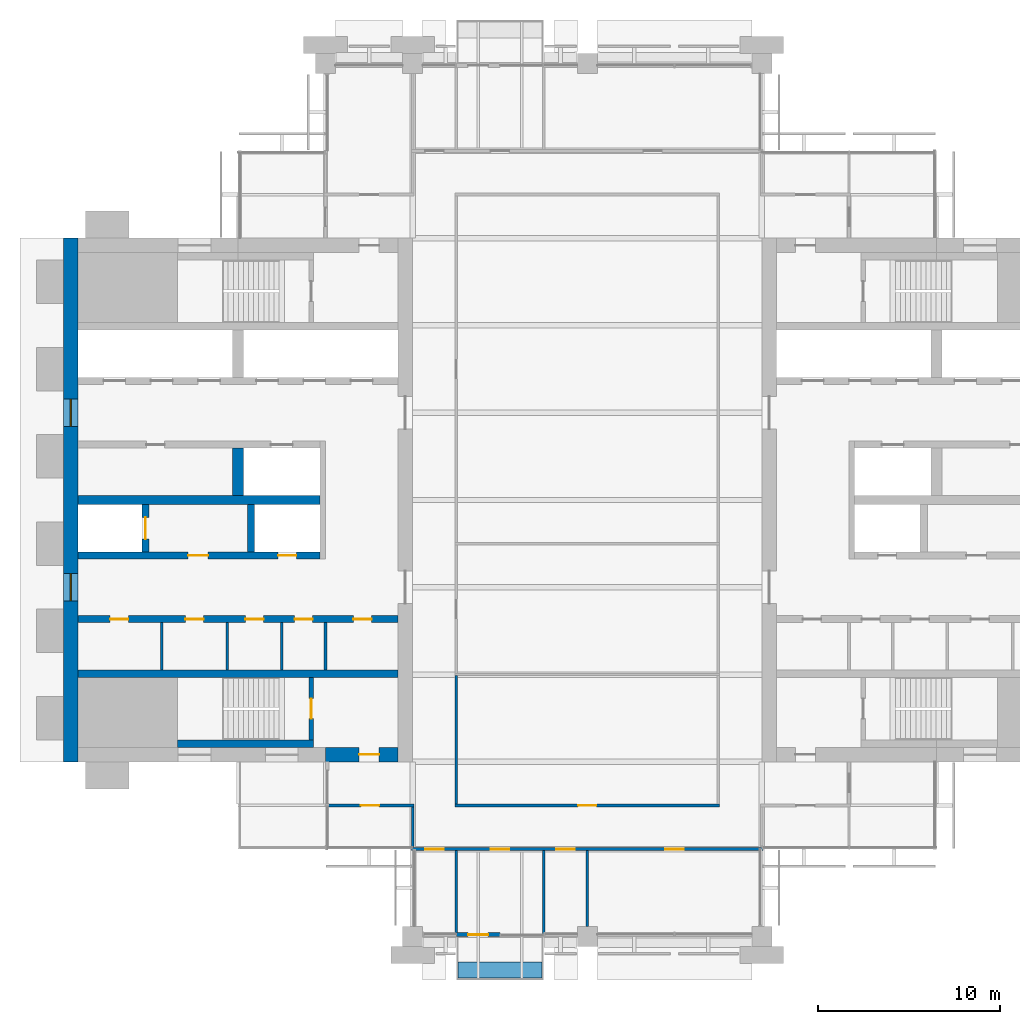
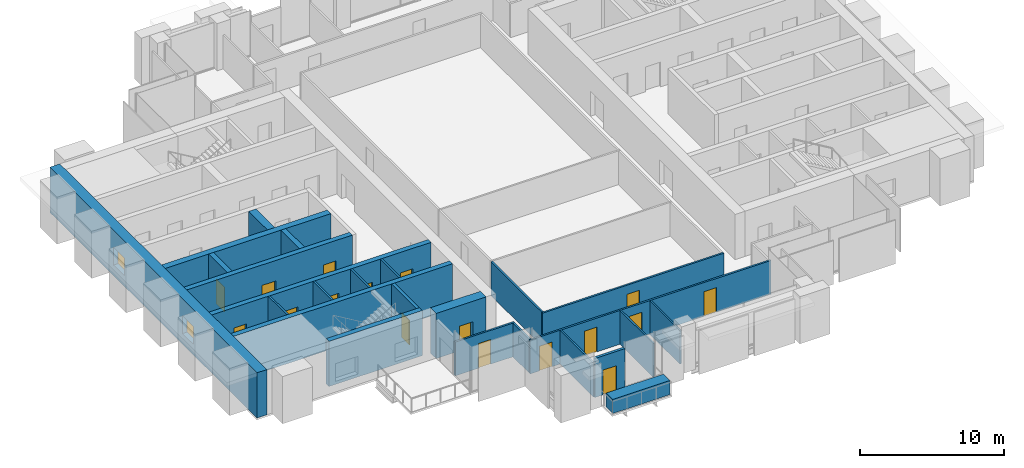
# One storey, part 8 of 14: 25 walls, 17 doors, 2 windows, 19 openings.
"""IFC4 building model written with IfcOpenShell, lengths in metres."""

from ifc_helpers import new_model, si_unit, direction, frame, frame_2d, origin, place, context, subcontext, project, spatial, rectangle, extrude, material, layer, layer_set, type_object, element, fill, save


model = new_model("IFC4")

# Units and contexts
model_context = context("Model", 3, precision=1e-05, world=origin(), true_north=direction((0.0, 1.0)))
body_context = subcontext(model_context, "Body", "Model", "MODEL_VIEW")
ifc_project = project(units=[si_unit("LENGTHUNIT", "METRE"), si_unit("AREAUNIT", "SQUARE_METRE"), si_unit("VOLUMEUNIT", "CUBIC_METRE"), si_unit("PLANEANGLEUNIT", "RADIAN"), si_unit("MASSUNIT", "GRAM", prefix="KILO")], contexts=[model_context])

# Site, building, storey
site_placement = place(None, origin())
site = spatial("IfcSite", under=ifc_project, at=site_placement, CompositionType="ELEMENT")
building_placement = place(site_placement, origin())
building = spatial("IfcBuilding", under=site, at=building_placement, Name="Baori Bourse Tower", CompositionType="ELEMENT")
storey_placement = place(building_placement, frame((0.0, 0.0, 209.199951171875)))
storey = spatial("IfcBuildingStorey", under=building, at=storey_placement, Name="L45", CompositionType="ELEMENT", Elevation=209.199951171875)

# Walls
ifc_material_1 = material(Name="Blockwork partition", Category="masonry")
ifc_layer_1 = layer(ifc_material_1, 0.14990234375)
ifc_layer_set_1 = layer_set([ifc_layer_1], Name="Core partition 150")
wall_type_1 = type_object("IfcWallType", Name="Core partition 150", PredefinedType="PARTITIONING", material=ifc_layer_set_1)
for number, where, z_axis, x_axis, name in (
    (1, (5.39990234375, 14.64990234375, 0.0), (0.0, 0.0, 1.0), (0.0, 1.0, 0.0), "Partition wall W09"),
    (2, (9.0, 14.64990234375, 0.0), (0.0, 0.0, 1.0), (0.0, 1.0, 0.0), "Partition wall W10"),
    (3, (12.0, 14.64990234375, 0.0), (0.0, 0.0, 1.0), (0.0, 1.0, 0.0), "Partition wall W11"),
    (4, (14.39990234375, 14.64990234375, 0.0), (0.0, 0.0, 1.0), (0.0, 1.0, 0.0), "Partition wall W12"),
):
    element("IfcWall", number, at=place(storey_placement, frame(where, z_axis=z_axis, x_axis=x_axis)), inside=storey, type_object=wall_type_1, Name=name, PredefinedType="PARTITIONING", context=body_context, shape_type="SweptSolid", body=[
        extrude(rectangle(XDim=2.60009765625, YDim=0.14990234375, at=frame_2d((1.300048828125, 0.0))), origin(), (0.0, 0.0, 1.0), 3.840087890625),
    ])

# Wall, openings, windows
ifc_material_2 = material(Name="Concrete f'c 50 MPa", Category="concrete")
ifc_layer_2 = layer(ifc_material_2, 0.800048828125)
ifc_layer_set_2 = layer_set([ifc_layer_2], Name="Core wall 800 f'c 50")
wall_type_2 = type_object("IfcWallType", Name="Core wall 800 f'c 50", PredefinedType="SHEAR", material=ifc_layer_set_2)
wall_1_placement = place(storey_placement, frame((0.39990234375, 9.60009765625, 0.0), z_axis=(0.0, 0.0, 1.0), x_axis=(0.0, 1.0, 0.0)))
wall_1 = element("IfcWall", 5, at=wall_1_placement, inside=storey, type_object=wall_type_2, Name="Core wall W01", PredefinedType="SHEAR", context=body_context, shape_type="SweptSolid", body=[
    extrude(rectangle(XDim=28.7998046875, YDim=0.800048828125, at=frame_2d((14.39990234375, 0.0))), origin(), (0.0, 0.0, 1.0), 3.840087890625),
])
opening_1_placement = place(wall_1_placement, frame((8.85009765625, 0.0, 0.89990234375)))
opening_1 = element("IfcOpeningElement", 6, at=opening_1_placement, cuts=wall_1, Name="Opening L45-KW101", PredefinedType="OPENING", context=body_context, shape_type="SweptSolid", body=[
    extrude(rectangle(XDim=1.5, YDim=1.5, at=frame_2d((0.75, 0.75))), frame((0.0, 0.409912109375, 0.0), z_axis=(0.0, -1.0, 0.0), x_axis=(1.0, 0.0, 0.0)), (0.0, 0.0, 1.0), 0.820068359375),
])
opening_2_placement = place(wall_1_placement, frame((18.449951171875, 0.0, 0.89990234375)))
opening_2 = element("IfcOpeningElement", 7, at=opening_2_placement, cuts=wall_1, Name="Opening L45-KW102", PredefinedType="OPENING", context=body_context, shape_type="SweptSolid", body=[
    extrude(rectangle(XDim=1.5, YDim=1.5, at=frame_2d((0.75, 0.75))), frame((0.0, 0.409912109375, 0.0), z_axis=(0.0, -1.0, 0.0), x_axis=(1.0, 0.0, 0.0)), (0.0, 0.0, 1.0), 0.820068359375),
])
ifc_material_3 = material(Name="Pale anodised aluminium", Category="aluminium")
window_type = type_object("IfcWindowType", Name="Lobby window 1500 x 1500", PartitioningType="SINGLE_PANEL", PredefinedType="WINDOW", material=ifc_material_3)
window_1_placement = place(opening_1_placement, origin())
window_1 = element("IfcWindow", 8, at=window_1_placement, inside=storey, type_object=window_type, Name="Outer wall window W L45 1", OverallHeight=1.5, OverallWidth=1.5, PartitioningType="SINGLE_PANEL", PredefinedType="WINDOW", context=body_context, shape_type="SweptSolid", body=[
    extrude(rectangle(XDim=1.5, YDim=1.5, at=frame_2d((0.75, 0.75))), frame((0.0, 0.030029296875, 0.0), z_axis=(0.0, -1.0, 0.0), x_axis=(1.0, 0.0, 0.0)), (0.0, 0.0, 1.0), 0.06005859375),
])
fill(opening_1, window_1)
window_2_placement = place(opening_2_placement, origin())
window_2 = element("IfcWindow", 9, at=window_2_placement, inside=storey, type_object=window_type, Name="Outer wall window W L45 2", OverallHeight=1.5, OverallWidth=1.5, PartitioningType="SINGLE_PANEL", PredefinedType="WINDOW", context=body_context, shape_type="SweptSolid", body=[
    extrude(rectangle(XDim=1.5, YDim=1.5, at=frame_2d((0.75, 0.75))), frame((0.0, 0.030029296875, 0.0), z_axis=(0.0, -1.0, 0.0), x_axis=(1.0, 0.0, 0.0)), (0.0, 0.0, 1.0), 0.06005859375),
])
fill(opening_2, window_2)

# Wall, opening, door
wall_2_placement = place(storey_placement, frame((18.39990234375, 10.0, 0.0), z_axis=(0.0, 0.0, 1.0), x_axis=(-1.0, 0.0, 0.0)))
wall_2 = element("IfcWall", 10, at=wall_2_placement, inside=storey, type_object=wall_type_2, Name="Core wall W03", PredefinedType="SHEAR", context=body_context, shape_type="SweptSolid", body=[
    extrude(rectangle(XDim=4.0, YDim=0.800048828125, at=frame_2d((2.0, 0.0))), origin(), (0.0, 0.0, 1.0), 3.840087890625),
])
opening_3_placement = place(wall_2_placement, frame((1.050048828125, 0.0, 0.0)))
opening_3 = element("IfcOpeningElement", 11, at=opening_3_placement, cuts=wall_2, Name="Opening L45-D102", PredefinedType="OPENING", context=body_context, shape_type="SweptSolid", body=[
    extrude(rectangle(XDim=1.10009765625, YDim=2.10009765625, at=frame_2d((0.550048828125, 1.050048828125))), frame((0.0, 0.409912109375, 0.0), z_axis=(0.0, -1.0, 0.0), x_axis=(1.0, 0.0, 0.0)), (0.0, 0.0, 1.0), 0.820068359375),
])
ifc_material_4 = material(Name="Painted steel door", Category="steel")
door_type_1 = type_object("IfcDoorType", Name="Stair door 1100", OperationType="SINGLE_SWING_LEFT", PredefinedType="DOOR", material=ifc_material_4)
door_1_placement = place(opening_3_placement, origin())
door_1 = element("IfcDoor", 12, at=door_1_placement, inside=storey, type_object=door_type_1, Name="Stair vestibule door A W L45", OperationType="SINGLE_SWING_LEFT", OverallHeight=2.10009765625, OverallWidth=1.10009765625, PredefinedType="DOOR", context=body_context, shape_type="SweptSolid", body=[
    extrude(rectangle(XDim=1.10009765625, YDim=2.10009765625, at=frame_2d((0.550048828125, 1.050048828125))), frame((0.0, 0.02490234375, 0.0), z_axis=(0.0, -1.0, 0.0), x_axis=(1.0, 0.0, 0.0)), (0.0, 0.0, 1.0), 0.050048828125),
])
fill(opening_3, door_1)

# Wall, openings, doors
ifc_material_5 = material(Name="Gypsum board partition")
ifc_layer_3 = layer(ifc_material_5, 0.14990234375)
ifc_layer_set_3 = layer_set([ifc_layer_3], Name="Corridor partition 150")
wall_type_3 = type_object("IfcWallType", Name="Corridor partition 150", PredefinedType="PARTITIONING", material=ifc_layer_set_3)
wall_3_placement = place(storey_placement, frame((19.125, 4.800048828125, 0.0), z_axis=(0.0, 0.0, 1.0), x_axis=(1.0, 0.0, 0.0)))
wall_3 = element("IfcWall", 13, at=wall_3_placement, inside=storey, type_object=wall_type_3, Name="Partition", PredefinedType="PARTITIONING", context=body_context, shape_type="SweptSolid", body=[
    extrude(rectangle(XDim=19.35009765625, YDim=0.14990234375, at=frame_2d((9.675048828125, 0.0))), origin(), (0.0, 0.0, 1.0), 2.869873046875),
])
opening_4_placement = place(wall_3_placement, frame((0.77490234375, 0.0, 0.0)))
opening_4 = element("IfcOpeningElement", 14, at=opening_4_placement, cuts=wall_3, Name="Opening L45-D01", PredefinedType="OPENING", context=body_context, shape_type="SweptSolid", body=[
    extrude(rectangle(XDim=1.0, YDim=2.10009765625, at=frame_2d((0.5, 1.050048828125))), frame((0.0, 0.0849609375, 0.0), z_axis=(0.0, -1.0, 0.0), x_axis=(1.0, 0.0, 0.0)), (0.0, 0.0, 1.0), 0.169921875),
])
opening_5_placement = place(wall_3_placement, frame((4.375, 0.0, 0.0)))
opening_5 = element("IfcOpeningElement", 15, at=opening_5_placement, cuts=wall_3, Name="Opening L45-D02", PredefinedType="OPENING", context=body_context, shape_type="SweptSolid", body=[
    extrude(rectangle(XDim=1.0, YDim=2.10009765625, at=frame_2d((0.5, 1.050048828125))), frame((0.0, 0.0849609375, 0.0), z_axis=(0.0, -1.0, 0.0), x_axis=(1.0, 0.0, 0.0)), (0.0, 0.0, 1.0), 0.169921875),
])
opening_6_placement = place(wall_3_placement, frame((7.97509765625, 0.0, 0.0)))
opening_6 = element("IfcOpeningElement", 16, at=opening_6_placement, cuts=wall_3, Name="Opening L45-D03", PredefinedType="OPENING", context=body_context, shape_type="SweptSolid", body=[
    extrude(rectangle(XDim=1.0, YDim=2.10009765625, at=frame_2d((0.5, 1.050048828125))), frame((0.0, 0.0849609375, 0.0), z_axis=(0.0, -1.0, 0.0), x_axis=(1.0, 0.0, 0.0)), (0.0, 0.0, 1.0), 0.169921875),
])
opening_7_placement = place(wall_3_placement, frame((13.97509765625, 0.0, 0.0)))
opening_7 = element("IfcOpeningElement", 17, at=opening_7_placement, cuts=wall_3, Name="Opening L45-D04", PredefinedType="OPENING", context=body_context, shape_type="SweptSolid", body=[
    extrude(rectangle(XDim=1.0, YDim=2.10009765625, at=frame_2d((0.5, 1.050048828125))), frame((0.0, 0.0849609375, 0.0), z_axis=(0.0, -1.0, 0.0), x_axis=(1.0, 0.0, 0.0)), (0.0, 0.0, 1.0), 0.169921875),
])
ifc_material_6 = material(Name="Timber door leaf", Category="wood")
door_type_2 = type_object("IfcDoorType", Name="Door 1000 x 2100", OperationType="SINGLE_SWING_LEFT", PredefinedType="DOOR", material=ifc_material_6)
door_2_placement = place(opening_4_placement, origin())
door_2 = element("IfcDoor", 18, at=door_2_placement, inside=storey, type_object=door_type_2, Name="Door", OperationType="SINGLE_SWING_LEFT", OverallHeight=2.10009765625, OverallWidth=1.0, PredefinedType="DOOR", context=body_context, shape_type="SweptSolid", body=[
    extrude(rectangle(XDim=1.0, YDim=2.10009765625, at=frame_2d((0.5, 1.050048828125))), frame((0.0, 0.02490234375, 0.0), z_axis=(0.0, -1.0, 0.0), x_axis=(1.0, 0.0, 0.0)), (0.0, 0.0, 1.0), 0.050048828125),
])
fill(opening_4, door_2)
door_3_placement = place(opening_5_placement, origin())
door_3 = element("IfcDoor", 19, at=door_3_placement, inside=storey, type_object=door_type_2, Name="Door", OperationType="SINGLE_SWING_LEFT", OverallHeight=2.10009765625, OverallWidth=1.0, PredefinedType="DOOR", context=body_context, shape_type="SweptSolid", body=[
    extrude(rectangle(XDim=1.0, YDim=2.10009765625, at=frame_2d((0.5, 1.050048828125))), frame((0.0, 0.02490234375, 0.0), z_axis=(0.0, -1.0, 0.0), x_axis=(1.0, 0.0, 0.0)), (0.0, 0.0, 1.0), 0.050048828125),
])
fill(opening_5, door_3)
door_4_placement = place(opening_6_placement, origin())
door_4 = element("IfcDoor", 20, at=door_4_placement, inside=storey, type_object=door_type_2, Name="Door", OperationType="SINGLE_SWING_LEFT", OverallHeight=2.10009765625, OverallWidth=1.0, PredefinedType="DOOR", context=body_context, shape_type="SweptSolid", body=[
    extrude(rectangle(XDim=1.0, YDim=2.10009765625, at=frame_2d((0.5, 1.050048828125))), frame((0.0, 0.02490234375, 0.0), z_axis=(0.0, -1.0, 0.0), x_axis=(1.0, 0.0, 0.0)), (0.0, 0.0, 1.0), 0.050048828125),
])
fill(opening_6, door_4)
door_5_placement = place(opening_7_placement, origin())
door_5 = element("IfcDoor", 21, at=door_5_placement, inside=storey, type_object=door_type_2, Name="Door", OperationType="SINGLE_SWING_RIGHT", OverallHeight=2.10009765625, OverallWidth=1.0, PredefinedType="DOOR", context=body_context, shape_type="SweptSolid", body=[
    extrude(rectangle(XDim=1.0, YDim=2.10009765625, at=frame_2d((0.5, 1.050048828125))), frame((0.0, 0.02490234375, 0.0), z_axis=(0.0, -1.0, 0.0), x_axis=(1.0, 0.0, 0.0)), (0.0, 0.0, 1.0), 0.050048828125),
])
fill(opening_7, door_5)

# Wall, opening, door
wall_4_placement = place(storey_placement, frame((14.5, 7.199951171875, 0.0), z_axis=(0.0, 0.0, 1.0), x_axis=(1.0, 0.0, 0.0)))
wall_4 = element("IfcWall", 22, at=wall_4_placement, inside=storey, type_object=wall_type_3, Name="Partition", PredefinedType="PARTITIONING", context=body_context, shape_type="SweptSolid", body=[
    extrude(rectangle(XDim=4.77490234375, YDim=0.14990234375, at=frame_2d((2.387451171875, 0.0))), origin(), (0.0, 0.0, 1.0), 2.869873046875),
])
opening_8_placement = place(wall_4_placement, frame((1.85009765625, 0.0, 0.0)))
opening_8 = element("IfcOpeningElement", 23, at=opening_8_placement, cuts=wall_4, Name="Opening L45-D05", PredefinedType="OPENING", context=body_context, shape_type="SweptSolid", body=[
    extrude(rectangle(XDim=1.0, YDim=2.10009765625, at=frame_2d((0.5, 1.050048828125))), frame((0.0, 0.0849609375, 0.0), z_axis=(0.0, -1.0, 0.0), x_axis=(1.0, 0.0, 0.0)), (0.0, 0.0, 1.0), 0.169921875),
])
door_6_placement = place(opening_8_placement, origin())
door_6 = element("IfcDoor", 24, at=door_6_placement, inside=storey, type_object=door_type_2, Name="Door", OperationType="SINGLE_SWING_LEFT", OverallHeight=2.10009765625, OverallWidth=1.0, PredefinedType="DOOR", context=body_context, shape_type="SweptSolid", body=[
    extrude(rectangle(XDim=1.0, YDim=2.10009765625, at=frame_2d((0.5, 1.050048828125))), frame((0.0, 0.02490234375, 0.0), z_axis=(0.0, -1.0, 0.0), x_axis=(1.0, 0.0, 0.0)), (0.0, 0.0, 1.0), 0.050048828125),
])
fill(opening_8, door_6)

wall_5_placement = place(storey_placement, frame((21.52490234375, 7.199951171875, 0.0), z_axis=(0.0, 0.0, 1.0), x_axis=(1.0, 0.0, 0.0)))
wall_5 = element("IfcWall", 25, at=wall_5_placement, inside=storey, type_object=wall_type_3, Name="Partition", PredefinedType="PARTITIONING", context=body_context, shape_type="SweptSolid", body=[
    extrude(rectangle(XDim=14.550048828125, YDim=0.14990234375, at=frame_2d((7.27490234375, 0.0))), origin(), (0.0, 0.0, 1.0), 2.869873046875),
])
opening_9_placement = place(wall_5_placement, frame((6.77490234375, 0.0, 0.0)))
opening_9 = element("IfcOpeningElement", 26, at=opening_9_placement, cuts=wall_5, Name="Opening L45-D06", PredefinedType="OPENING", context=body_context, shape_type="SweptSolid", body=[
    extrude(rectangle(XDim=1.0, YDim=2.10009765625, at=frame_2d((0.5, 1.050048828125))), frame((0.0, 0.0849609375, 0.0), z_axis=(0.0, -1.0, 0.0), x_axis=(1.0, 0.0, 0.0)), (0.0, 0.0, 1.0), 0.169921875),
])
door_7_placement = place(opening_9_placement, origin())
door_7 = element("IfcDoor", 27, at=door_7_placement, inside=storey, type_object=door_type_2, Name="Door", OperationType="SINGLE_SWING_RIGHT", OverallHeight=2.10009765625, OverallWidth=1.0, PredefinedType="DOOR", context=body_context, shape_type="SweptSolid", body=[
    extrude(rectangle(XDim=1.0, YDim=2.10009765625, at=frame_2d((0.5, 1.050048828125))), frame((0.0, 0.02490234375, 0.0), z_axis=(0.0, -1.0, 0.0), x_axis=(1.0, 0.0, 0.0)), (0.0, 0.0, 1.0), 0.050048828125),
])
fill(opening_9, door_7)

# Walls
wall_6_placement = place(storey_placement, frame((19.199951171875, 4.875, 0.0), z_axis=(0.0, 0.0, 1.0), x_axis=(0.0, 1.0, 0.0)))
element("IfcWall", 28, at=wall_6_placement, inside=storey, type_object=wall_type_3, Name="Partition", PredefinedType="PARTITIONING", context=body_context, shape_type="SweptSolid", body=[
    extrude(rectangle(XDim=2.25, YDim=0.14990234375, at=frame_2d((1.125, 0.0))), origin(), (0.0, 0.0, 1.0), 2.869873046875),
])
wall_7_placement = place(storey_placement, frame((21.60009765625, 7.27490234375, 0.0), z_axis=(0.0, 0.0, 1.0), x_axis=(0.0, 1.0, 0.0)))
element("IfcWall", 29, at=wall_7_placement, inside=storey, type_object=wall_type_3, Name="Partition", PredefinedType="PARTITIONING", context=body_context, shape_type="SweptSolid", body=[
    extrude(rectangle(XDim=7.0625, YDim=0.14990234375, at=frame_2d((3.53125, 0.0))), origin(), (0.0, 0.0, 1.0), 2.869873046875),
])

# Wall, opening, door
ifc_material_7 = material(Name="Pale anodised aluminium", Category="aluminium")
ifc_layer_4 = layer(ifc_material_7, 0.199951171875)
ifc_layer_set_4 = layer_set([ifc_layer_4], Name="EW1 External wall bay")
wall_type_4 = type_object("IfcWallType", Name="EW1 External wall bay", PredefinedType="SOLIDWALL", material=ifc_layer_set_4)
wall_8_placement = place(storey_placement, frame((21.60009765625, 0.10009765625, 0.0), z_axis=(0.0, 0.0, 1.0), x_axis=(1.0, 0.0, 0.0)))
wall_8 = element("IfcWall", 30, at=wall_8_placement, inside=storey, type_object=wall_type_4, Name="External wall bay L45 3", PredefinedType="SOLIDWALL", context=body_context, shape_type="SweptSolid", body=[
    extrude(rectangle(XDim=2.39990234375, YDim=0.199951171875, at=frame_2d((1.199951171875, 0.0))), origin(), (0.0, 0.0, 1.0), 3.314208984375),
])
opening_10_placement = place(wall_8_placement, frame((0.64990234375, 0.0, 0.0)))
opening_10 = element("IfcOpeningElement", 31, at=opening_10_placement, cuts=wall_8, Name="Opening L45-D93", PredefinedType="OPENING", context=body_context, shape_type="SweptSolid", body=[
    extrude(rectangle(XDim=1.10009765625, YDim=2.10009765625, at=frame_2d((0.550048828125, 1.050048828125))), frame((0.0, 0.10986328125, 0.0), z_axis=(0.0, -1.0, 0.0), x_axis=(1.0, 0.0, 0.0)), (0.0, 0.0, 1.0), 0.219970703125),
])
ifc_material_8 = material(Name="Pale anodised aluminium", Category="aluminium")
door_type_3 = type_object("IfcDoorType", Name="BL1 Balcony door", OperationType="SINGLE_SWING_LEFT", PredefinedType="DOOR", material=ifc_material_8)
door_8_placement = place(opening_10_placement, origin())
door_8 = element("IfcDoor", 32, at=door_8_placement, inside=storey, type_object=door_type_3, Name="Balcony door L45 3", OperationType="SINGLE_SWING_LEFT", OverallHeight=2.10009765625, OverallWidth=1.10009765625, PredefinedType="DOOR", context=body_context, shape_type="SweptSolid", body=[
    extrude(rectangle(XDim=1.10009765625, YDim=2.10009765625, at=frame_2d((0.550048828125, 1.050048828125))), frame((0.0, 0.02490234375, 0.0), z_axis=(0.0, -1.0, 0.0), x_axis=(1.0, 0.0, 0.0)), (0.0, 0.0, 1.0), 0.050048828125),
])
fill(opening_10, door_8)

# Walls
ifc_material_9 = material(Name="Concrete f'c 40 MPa", Category="concrete")
ifc_layer_5 = layer(ifc_material_9, 0.89990234375)
ifc_layer_set_5 = layer_set([ifc_layer_5], Name="PW1 Planter wall")
wall_type_5 = type_object("IfcWallType", Name="PW1 Planter wall", PredefinedType="USERDEFINED", material=ifc_layer_set_5)
wall_9_placement = place(storey_placement, frame((21.699951171875, -1.85009765625, 0.0), z_axis=(0.0, 0.0, 1.0), x_axis=(1.0, 0.0, 0.0)))
element("IfcWall", 33, at=wall_9_placement, inside=storey, type_object=wall_type_5, Name="Planter balcony S L45 1", ObjectType="PLANTER", PredefinedType="USERDEFINED", context=body_context, shape_type="SweptSolid", body=[
    extrude(rectangle(XDim=4.60009765625, YDim=0.89990234375, at=frame_2d((2.300048828125, 0.0))), origin(), (0.0, 0.0, 1.0), 1.199951171875),
])
ifc_material_10 = material(Name="Gypsum board partition")
ifc_layer_6 = layer(ifc_material_10, 0.125)
ifc_layer_set_6 = layer_set([ifc_layer_6], Name="Partition 125")
wall_type_6 = type_object("IfcWallType", Name="Partition 125", PredefinedType="PARTITIONING", material=ifc_layer_set_6)
for number, where, z_axis, x_axis, name in (
    (34, (21.60009765625, 0.10009765625, 0.0), (0.0, 0.0, 1.0), (0.0, 1.0, 0.0), "Partition"),
    (35, (26.39990234375, 0.10009765625, 0.0), (0.0, 0.0, 1.0), (0.0, 1.0, 0.0), "Partition"),
):
    element("IfcWall", number, at=place(storey_placement, frame(where, z_axis=z_axis, x_axis=x_axis)), inside=storey, type_object=wall_type_6, Name=name, PredefinedType="PARTITIONING", context=body_context, shape_type="SweptSolid", body=[
        extrude(rectangle(XDim=4.625, YDim=0.125, at=frame_2d((2.3125, 0.0))), origin(), (0.0, 0.0, 1.0), 2.869873046875),
    ])
wall_10_placement = place(storey_placement, frame((28.800048828125, 0.550048828125, 0.0), z_axis=(0.0, 0.0, 1.0), x_axis=(0.0, 1.0, 0.0)))
element("IfcWall", 36, at=wall_10_placement, inside=storey, type_object=wall_type_6, Name="Partition", PredefinedType="PARTITIONING", context=body_context, shape_type="SweptSolid", body=[
    extrude(rectangle(XDim=4.175048828125, YDim=0.125, at=frame_2d((2.08740234375, 0.0))), origin(), (0.0, 0.0, 1.0), 2.869873046875),
])

# Wall, opening, door
ifc_material_11 = material(Name="Concrete f'c 50 MPa", Category="concrete")
ifc_layer_7 = layer(ifc_material_11, 0.25)
ifc_layer_set_7 = layer_set([ifc_layer_7], Name="Shaft wall 250 f'c 50")
wall_type_7 = type_object("IfcWallType", Name="Shaft wall 250 f'c 50", PredefinedType="SHEAR", material=ifc_layer_set_7)
wall_11_placement = place(storey_placement, frame((13.625, 10.800048828125, 0.0), z_axis=(0.0, 0.0, 1.0), x_axis=(0.0, 1.0, 0.0)))
wall_11 = element("IfcWall", 37, at=wall_11_placement, inside=storey, type_object=wall_type_7, Name="Core wall W07", PredefinedType="SHEAR", context=body_context, shape_type="SweptSolid", body=[
    extrude(rectangle(XDim=3.449951171875, YDim=0.25, at=frame_2d((1.72509765625, 0.0))), origin(), (0.0, 0.0, 1.0), 3.840087890625),
])
opening_11_placement = place(wall_11_placement, frame((1.175048828125, 0.0, 0.0)))
opening_11 = element("IfcOpeningElement", 38, at=opening_11_placement, cuts=wall_11, Name="Opening L45-D101", PredefinedType="OPENING", context=body_context, shape_type="SweptSolid", body=[
    extrude(rectangle(XDim=1.10009765625, YDim=2.10009765625, at=frame_2d((0.550048828125, 1.050048828125))), frame((0.0, 0.135009765625, 0.0), z_axis=(0.0, -1.0, 0.0), x_axis=(1.0, 0.0, 0.0)), (0.0, 0.0, 1.0), 0.27001953125),
])
door_9_placement = place(opening_11_placement, origin())
door_9 = element("IfcDoor", 39, at=door_9_placement, inside=storey, type_object=door_type_1, Name="Stair door A W L45", OperationType="SINGLE_SWING_LEFT", OverallHeight=2.10009765625, OverallWidth=1.10009765625, PredefinedType="DOOR", context=body_context, shape_type="SweptSolid", body=[
    extrude(rectangle(XDim=1.10009765625, YDim=2.10009765625, at=frame_2d((0.550048828125, 1.050048828125))), frame((0.0, 0.02490234375, 0.0), z_axis=(0.0, -1.0, 0.0), x_axis=(1.0, 0.0, 0.0)), (0.0, 0.0, 1.0), 0.050048828125),
])
fill(opening_11, door_9)

# Walls
ifc_material_12 = material(Name="Concrete f'c 50 MPa", Category="concrete")
ifc_layer_8 = layer(ifc_material_12, 0.39990234375)
ifc_layer_set_8 = layer_set([ifc_layer_8], Name="Shaft wall 400 f'c 50")
wall_type_8 = type_object("IfcWallType", Name="Shaft wall 400 f'c 50", PredefinedType="SHEAR", material=ifc_layer_set_8)
wall_12_placement = place(storey_placement, frame((6.25, 10.60009765625, 0.0), z_axis=(0.0, 0.0, 1.0), x_axis=(1.0, 0.0, 0.0)))
element("IfcWall", 40, at=wall_12_placement, inside=storey, type_object=wall_type_8, Name="Core wall W06", PredefinedType="SHEAR", context=body_context, shape_type="SweptSolid", body=[
    extrude(rectangle(XDim=7.5, YDim=0.39990234375, at=frame_2d((3.75, 0.0))), origin(), (0.0, 0.0, 1.0), 3.840087890625),
])
wall_13_placement = place(storey_placement, frame((0.800048828125, 14.449951171875, 0.0), z_axis=(0.0, 0.0, 1.0), x_axis=(1.0, 0.0, 0.0)))
element("IfcWall", 41, at=wall_13_placement, inside=storey, type_object=wall_type_8, Name="Core wall W08", PredefinedType="SHEAR", context=body_context, shape_type="SweptSolid", body=[
    extrude(rectangle(XDim=17.599853515625, YDim=0.39990234375, at=frame_2d((8.7998046875, 0.0))), origin(), (0.0, 0.0, 1.0), 3.840087890625),
])

# Wall, openings, doors
wall_14_placement = place(storey_placement, frame((0.800048828125, 17.449951171875, 0.0), z_axis=(0.0, 0.0, 1.0), x_axis=(1.0, 0.0, 0.0)))
wall_14 = element("IfcWall", 42, at=wall_14_placement, inside=storey, type_object=wall_type_8, Name="Core wall W13", PredefinedType="SHEAR", context=body_context, shape_type="SweptSolid", body=[
    extrude(rectangle(XDim=17.599853515625, YDim=0.39990234375, at=frame_2d((8.7998046875, 0.0))), origin(), (0.0, 0.0, 1.0), 3.840087890625),
])
opening_12_placement = place(wall_14_placement, frame((1.762451171875, 0.0, 0.0)))
opening_12 = element("IfcOpeningElement", 43, at=opening_12_placement, cuts=wall_14, Name="Opening L45-D109", PredefinedType="OPENING", context=body_context, shape_type="SweptSolid", body=[
    extrude(rectangle(XDim=1.0, YDim=2.10009765625, at=frame_2d((0.5, 1.050048828125))), frame((0.0, 0.2099609375, 0.0), z_axis=(0.0, -1.0, 0.0), x_axis=(1.0, 0.0, 0.0)), (0.0, 0.0, 1.0), 0.419921875),
])
opening_13_placement = place(wall_14_placement, frame((5.89990234375, 0.0, 0.0)))
opening_13 = element("IfcOpeningElement", 44, at=opening_13_placement, cuts=wall_14, Name="Opening L45-D110", PredefinedType="OPENING", context=body_context, shape_type="SweptSolid", body=[
    extrude(rectangle(XDim=1.0, YDim=2.10009765625, at=frame_2d((0.5, 1.050048828125))), frame((0.0, 0.2099609375, 0.0), z_axis=(0.0, -1.0, 0.0), x_axis=(1.0, 0.0, 0.0)), (0.0, 0.0, 1.0), 0.419921875),
])
opening_14_placement = place(wall_14_placement, frame((9.199951171875, 0.0, 0.0)))
opening_14 = element("IfcOpeningElement", 45, at=opening_14_placement, cuts=wall_14, Name="Opening L45-D111", PredefinedType="OPENING", context=body_context, shape_type="SweptSolid", body=[
    extrude(rectangle(XDim=1.0, YDim=2.10009765625, at=frame_2d((0.5, 1.050048828125))), frame((0.0, 0.2099609375, 0.0), z_axis=(0.0, -1.0, 0.0), x_axis=(1.0, 0.0, 0.0)), (0.0, 0.0, 1.0), 0.419921875),
])
opening_15_placement = place(wall_14_placement, frame((11.89990234375, 0.0, 0.0)))
opening_15 = element("IfcOpeningElement", 46, at=opening_15_placement, cuts=wall_14, Name="Opening L45-D112", PredefinedType="OPENING", context=body_context, shape_type="SweptSolid", body=[
    extrude(rectangle(XDim=1.0, YDim=2.10009765625, at=frame_2d((0.5, 1.050048828125))), frame((0.0, 0.2099609375, 0.0), z_axis=(0.0, -1.0, 0.0), x_axis=(1.0, 0.0, 0.0)), (0.0, 0.0, 1.0), 0.419921875),
])
opening_16_placement = place(wall_14_placement, frame((15.137451171875, 0.0, 0.0)))
opening_16 = element("IfcOpeningElement", 47, at=opening_16_placement, cuts=wall_14, Name="Opening L45-D113", PredefinedType="OPENING", context=body_context, shape_type="SweptSolid", body=[
    extrude(rectangle(XDim=1.0, YDim=2.10009765625, at=frame_2d((0.5, 1.050048828125))), frame((0.0, 0.2099609375, 0.0), z_axis=(0.0, -1.0, 0.0), x_axis=(1.0, 0.0, 0.0)), (0.0, 0.0, 1.0), 0.419921875),
])
ifc_material_13 = material(Name="Painted steel door", Category="steel")
door_type_4 = type_object("IfcDoorType", Name="Core door 1000", OperationType="SINGLE_SWING_LEFT", PredefinedType="DOOR", material=ifc_material_13)
door_10_placement = place(opening_12_placement, origin())
door_10 = element("IfcDoor", 48, at=door_10_placement, inside=storey, type_object=door_type_4, Name="Men'S Wc door W L45", OperationType="SINGLE_SWING_LEFT", OverallHeight=2.10009765625, OverallWidth=1.0, PredefinedType="DOOR", context=body_context, shape_type="SweptSolid", body=[
    extrude(rectangle(XDim=1.0, YDim=2.10009765625, at=frame_2d((0.5, 1.050048828125))), frame((0.0, 0.02490234375, 0.0), z_axis=(0.0, -1.0, 0.0), x_axis=(1.0, 0.0, 0.0)), (0.0, 0.0, 1.0), 0.050048828125),
])
fill(opening_12, door_10)
door_11_placement = place(opening_13_placement, origin())
door_11 = element("IfcDoor", 49, at=door_11_placement, inside=storey, type_object=door_type_4, Name="Women'S Wc door W L45", OperationType="SINGLE_SWING_LEFT", OverallHeight=2.10009765625, OverallWidth=1.0, PredefinedType="DOOR", context=body_context, shape_type="SweptSolid", body=[
    extrude(rectangle(XDim=1.0, YDim=2.10009765625, at=frame_2d((0.5, 1.050048828125))), frame((0.0, 0.02490234375, 0.0), z_axis=(0.0, -1.0, 0.0), x_axis=(1.0, 0.0, 0.0)), (0.0, 0.0, 1.0), 0.050048828125),
])
fill(opening_13, door_11)
door_12_placement = place(opening_14_placement, origin())
door_12 = element("IfcDoor", 50, at=door_12_placement, inside=storey, type_object=door_type_4, Name="Pantry door W L45", OperationType="SINGLE_SWING_LEFT", OverallHeight=2.10009765625, OverallWidth=1.0, PredefinedType="DOOR", context=body_context, shape_type="SweptSolid", body=[
    extrude(rectangle(XDim=1.0, YDim=2.10009765625, at=frame_2d((0.5, 1.050048828125))), frame((0.0, 0.02490234375, 0.0), z_axis=(0.0, -1.0, 0.0), x_axis=(1.0, 0.0, 0.0)), (0.0, 0.0, 1.0), 0.050048828125),
])
fill(opening_14, door_12)
door_13_placement = place(opening_15_placement, origin())
door_13 = element("IfcDoor", 51, at=door_13_placement, inside=storey, type_object=door_type_4, Name="Store Room door W L45", OperationType="SINGLE_SWING_LEFT", OverallHeight=2.10009765625, OverallWidth=1.0, PredefinedType="DOOR", context=body_context, shape_type="SweptSolid", body=[
    extrude(rectangle(XDim=1.0, YDim=2.10009765625, at=frame_2d((0.5, 1.050048828125))), frame((0.0, 0.02490234375, 0.0), z_axis=(0.0, -1.0, 0.0), x_axis=(1.0, 0.0, 0.0)), (0.0, 0.0, 1.0), 0.050048828125),
])
fill(opening_15, door_13)
door_14_placement = place(opening_16_placement, origin())
door_14 = element("IfcDoor", 52, at=door_14_placement, inside=storey, type_object=door_type_4, Name="Accessible Wc door W L45", OperationType="SINGLE_SWING_LEFT", OverallHeight=2.10009765625, OverallWidth=1.0, PredefinedType="DOOR", context=body_context, shape_type="SweptSolid", body=[
    extrude(rectangle(XDim=1.0, YDim=2.10009765625, at=frame_2d((0.5, 1.050048828125))), frame((0.0, 0.02490234375, 0.0), z_axis=(0.0, -1.0, 0.0), x_axis=(1.0, 0.0, 0.0)), (0.0, 0.0, 1.0), 0.050048828125),
])
fill(opening_16, door_14)

wall_15_placement = place(storey_placement, frame((0.800048828125, 20.949951171875, 0.0), z_axis=(0.0, 0.0, 1.0), x_axis=(1.0, 0.0, 0.0)))
wall_15 = element("IfcWall", 53, at=wall_15_placement, inside=storey, type_object=wall_type_8, Name="Core wall W14", PredefinedType="SHEAR", context=body_context, shape_type="SweptSolid", body=[
    extrude(rectangle(XDim=13.300048828125, YDim=0.39990234375, at=frame_2d((6.64990234375, 0.0))), origin(), (0.0, 0.0, 1.0), 3.840087890625),
])
opening_17_placement = place(wall_15_placement, frame((6.050048828125, 0.0, 0.0)))
opening_17 = element("IfcOpeningElement", 54, at=opening_17_placement, cuts=wall_15, Name="Opening L45-D105", PredefinedType="OPENING", context=body_context, shape_type="SweptSolid", body=[
    extrude(rectangle(XDim=1.10009765625, YDim=2.10009765625, at=frame_2d((0.550048828125, 1.050048828125))), frame((0.0, 0.2099609375, 0.0), z_axis=(0.0, -1.0, 0.0), x_axis=(1.0, 0.0, 0.0)), (0.0, 0.0, 1.0), 0.419921875),
])
opening_18_placement = place(wall_15_placement, frame((11.0, 0.0, 0.0)))
opening_18 = element("IfcOpeningElement", 55, at=opening_18_placement, cuts=wall_15, Name="Opening L45-D106", PredefinedType="OPENING", context=body_context, shape_type="SweptSolid", body=[
    extrude(rectangle(XDim=1.0, YDim=2.10009765625, at=frame_2d((0.5, 1.050048828125))), frame((0.0, 0.2099609375, 0.0), z_axis=(0.0, -1.0, 0.0), x_axis=(1.0, 0.0, 0.0)), (0.0, 0.0, 1.0), 0.419921875),
])
ifc_material_14 = material(Name="Painted steel door", Category="steel")
door_type_5 = type_object("IfcDoorType", Name="Lobby door 1100", OperationType="SINGLE_SWING_LEFT", PredefinedType="DOOR", material=ifc_material_14)
door_15_placement = place(opening_17_placement, origin())
door_15 = element("IfcDoor", 56, at=door_15_placement, inside=storey, type_object=door_type_5, Name="Firefighting lobby door W L45", OperationType="SINGLE_SWING_LEFT", OverallHeight=2.10009765625, OverallWidth=1.10009765625, PredefinedType="DOOR", context=body_context, shape_type="SweptSolid", body=[
    extrude(rectangle(XDim=1.10009765625, YDim=2.10009765625, at=frame_2d((0.550048828125, 1.050048828125))), frame((0.0, 0.02490234375, 0.0), z_axis=(0.0, -1.0, 0.0), x_axis=(1.0, 0.0, 0.0)), (0.0, 0.0, 1.0), 0.050048828125),
])
fill(opening_17, door_15)
ifc_material_15 = material(Name="Painted steel door", Category="steel")
door_type_6 = type_object("IfcDoorType", Name="Shaft door 1000", OperationType="SINGLE_SWING_LEFT", PredefinedType="DOOR", material=ifc_material_15)
door_16_placement = place(opening_18_placement, origin())
door_16 = element("IfcDoor", 57, at=door_16_placement, inside=storey, type_object=door_type_6, Name="Riser room door W L45", OperationType="SINGLE_SWING_LEFT", OverallHeight=2.10009765625, OverallWidth=1.0, PredefinedType="DOOR", context=body_context, shape_type="SweptSolid", body=[
    extrude(rectangle(XDim=1.0, YDim=2.10009765625, at=frame_2d((0.5, 1.050048828125))), frame((0.0, 0.02490234375, 0.0), z_axis=(0.0, -1.0, 0.0), x_axis=(1.0, 0.0, 0.0)), (0.0, 0.0, 1.0), 0.050048828125),
])
fill(opening_18, door_16)

# Wall, opening, door
wall_16_placement = place(storey_placement, frame((4.5, 21.14990234375, 0.0), z_axis=(0.0, 0.0, 1.0), x_axis=(0.0, 1.0, 0.0)))
wall_16 = element("IfcWall", 58, at=wall_16_placement, inside=storey, type_object=wall_type_8, Name="Core wall W16", PredefinedType="SHEAR", context=body_context, shape_type="SweptSolid", body=[
    extrude(rectangle(XDim=2.60009765625, YDim=0.39990234375, at=frame_2d((1.300048828125, 0.0))), origin(), (0.0, 0.0, 1.0), 3.840087890625),
])
opening_19_placement = place(wall_16_placement, frame((0.699951171875, 0.0, 0.0)))
opening_19 = element("IfcOpeningElement", 59, at=opening_19_placement, cuts=wall_16, Name="Opening L45-D122", PredefinedType="OPENING", context=body_context, shape_type="SweptSolid", body=[
    extrude(rectangle(XDim=1.199951171875, YDim=2.10009765625, at=frame_2d((0.60009765625, 1.050048828125))), frame((0.0, 0.2099609375, 0.0), z_axis=(0.0, -1.0, 0.0), x_axis=(1.0, 0.0, 0.0)), (0.0, 0.0, 1.0), 0.419921875),
])
ifc_material_16 = material(Name="Stainless steel door", Category="steel")
door_type_7 = type_object("IfcDoorType", Name="Lift landing door", OperationType="DOUBLE_DOOR_SLIDING", PredefinedType="DOOR", material=ifc_material_16)
door_17_placement = place(opening_19_placement, origin())
door_17 = element("IfcDoor", 60, at=door_17_placement, inside=storey, type_object=door_type_7, Name="Lift landing door FF1 W L45", OperationType="DOUBLE_DOOR_SLIDING", OverallHeight=2.10009765625, OverallWidth=1.199951171875, PredefinedType="DOOR", context=body_context, shape_type="SweptSolid", body=[
    extrude(rectangle(XDim=1.199951171875, YDim=2.10009765625, at=frame_2d((0.60009765625, 1.050048828125))), frame((0.0, 0.02490234375, 0.0), z_axis=(0.0, -1.0, 0.0), x_axis=(1.0, 0.0, 0.0)), (0.0, 0.0, 1.0), 0.050048828125),
])
fill(opening_19, door_17)

# Walls
wall_17_placement = place(storey_placement, frame((10.300048828125, 21.14990234375, 0.0), z_axis=(0.0, 0.0, 1.0), x_axis=(0.0, 1.0, 0.0)))
element("IfcWall", 61, at=wall_17_placement, inside=storey, type_object=wall_type_8, Name="Core wall W17", PredefinedType="SHEAR", context=body_context, shape_type="SweptSolid", body=[
    extrude(rectangle(XDim=2.60009765625, YDim=0.39990234375, at=frame_2d((1.300048828125, 0.0))), origin(), (0.0, 0.0, 1.0), 3.840087890625),
])
ifc_material_17 = material(Name="Concrete f'c 50 MPa", Category="concrete")
ifc_layer_9 = layer(ifc_material_17, 0.5)
ifc_layer_set_9 = layer_set([ifc_layer_9], Name="Shaft wall 500 f'c 50")
wall_type_9 = type_object("IfcWallType", Name="Shaft wall 500 f'c 50", PredefinedType="SHEAR", material=ifc_layer_set_9)
wall_18_placement = place(storey_placement, frame((0.800048828125, 24.0, 0.0), z_axis=(0.0, 0.0, 1.0), x_axis=(1.0, 0.0, 0.0)))
element("IfcWall", 62, at=wall_18_placement, inside=storey, type_object=wall_type_9, Name="Core wall W18", PredefinedType="SHEAR", context=body_context, shape_type="SweptSolid", body=[
    extrude(rectangle(XDim=13.300048828125, YDim=0.5, at=frame_2d((6.64990234375, 0.0))), origin(), (0.0, 0.0, 1.0), 3.840087890625),
])
ifc_material_18 = material(Name="Concrete f'c 50 MPa", Category="concrete")
ifc_layer_10 = layer(ifc_material_18, 0.60009765625)
ifc_layer_set_10 = layer_set([ifc_layer_10], Name="Shaft wall 600 f'c 50")
wall_type_10 = type_object("IfcWallType", Name="Shaft wall 600 f'c 50", PredefinedType="SHEAR", material=ifc_layer_set_10)
wall_19_placement = place(storey_placement, frame((9.60009765625, 24.25, 0.0), z_axis=(0.0, 0.0, 1.0), x_axis=(0.0, 1.0, 0.0)))
element("IfcWall", 63, at=wall_19_placement, inside=storey, type_object=wall_type_10, Name="Core wall W19", PredefinedType="SHEAR", context=body_context, shape_type="SweptSolid", body=[
    extrude(rectangle(XDim=2.60009765625, YDim=0.60009765625, at=frame_2d((1.300048828125, 0.0))), origin(), (0.0, 0.0, 1.0), 3.840087890625),
])

save(model, "model.ifc")
